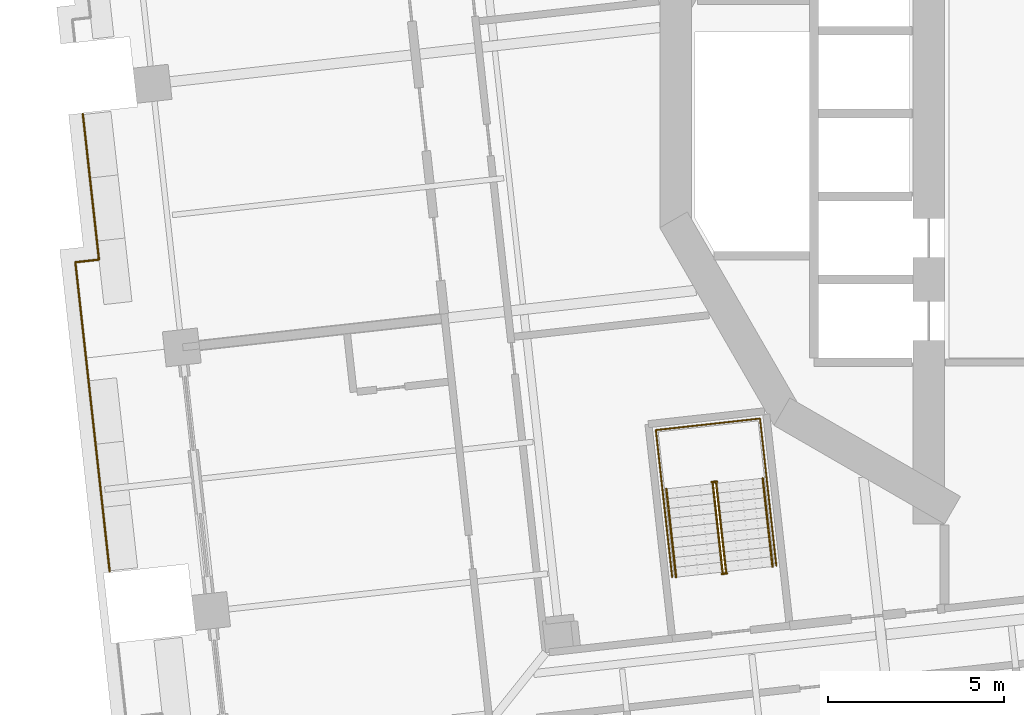
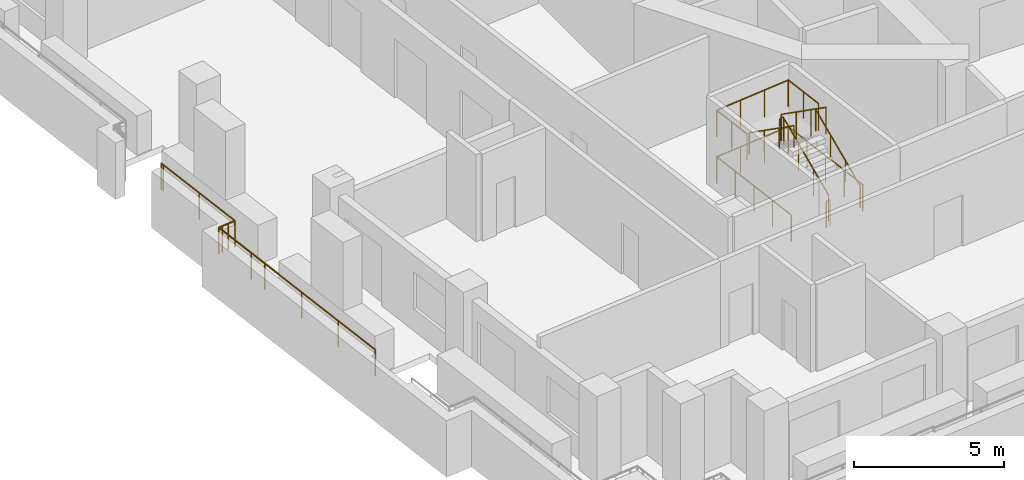
# One storey, part 13 of 19: 8 railings.
"""IFC4 building model written with IfcOpenShell, lengths in metres."""

from ifc_helpers import new_model, si_unit, direction, frame, origin, origin_2d, place, context, subcontext, project, spatial, circle, extrude, material, type_object, element, save


model = new_model("IFC4")

# Units and contexts
model_context = context("Model", 3, precision=1e-05, world=origin(), true_north=direction((0.0, 1.0)))
body_context = subcontext(model_context, "Body", "Model", "MODEL_VIEW")
ifc_project = project(units=[si_unit("LENGTHUNIT", "METRE"), si_unit("AREAUNIT", "SQUARE_METRE"), si_unit("VOLUMEUNIT", "CUBIC_METRE"), si_unit("PLANEANGLEUNIT", "RADIAN"), si_unit("MASSUNIT", "GRAM", prefix="KILO")], contexts=[model_context])

# Site, building, storey
site_placement = place(None, origin())
site = spatial("IfcSite", under=ifc_project, at=site_placement, CompositionType="ELEMENT")
building_placement = place(site_placement, origin())
building = spatial("IfcBuilding", under=site, at=building_placement, Name="Cantera Rosa Tower", CompositionType="ELEMENT")
storey_placement = place(building_placement, frame((0.0, 0.0, 65.300048828125)))
storey = spatial("IfcBuildingStorey", under=building, at=storey_placement, Name="L13", CompositionType="ELEMENT", Elevation=65.300048828125)

# Railings
ifc_material_1 = material(Name="Stainless steel and laminated glass", Category="steel")
railing_type_1 = type_object("IfcRailingType", Name="GUARD 1100", PredefinedType="BALUSTRADE", material=ifc_material_1)
railing_1_placement = place(storey_placement, frame((-27.669677734375, -12.9814453125, 0.0)))
element("IfcRailing", 1, at=railing_1_placement, inside=storey, type_object=railing_type_1, Name="GUARD L13-3", PredefinedType="BALUSTRADE", context=body_context, shape_type="SweptSolid", body=[
    extrude(circle(Radius=0.030029296875, at=origin_2d()), frame((0.0, 0.0, 1.070068359375), z_axis=(-0.11030268805, 0.993898041556, 0.0), x_axis=(-0.993898041556, -0.11030268805, 0.0)), (0.0, 0.0, 1.0), 6.239501953125),
    extrude(circle(Radius=0.030029296875, at=origin_2d()), frame((-0.688232421875, 6.201416015625, 1.070068359375), z_axis=(0.0, 1.0, 0.0), x_axis=(-1.0, 0.0, 0.0)), (0.0, 0.0, 1.0), 0.00048828125),
    extrude(circle(Radius=0.030029296875, at=origin_2d()), frame((-0.688232421875, 6.201904296875, 1.070068359375), z_axis=(-0.110289531416, 0.99389950159, 0.0), x_axis=(-0.99389950159, -0.110289531416, 0.0)), (0.0, 0.0, 1.0), 0.7548828125),
    extrude(circle(Radius=0.030029296875, at=origin_2d()), frame((-0.771484375, 6.9521484375, 1.070068359375), z_axis=(-0.110328904554, 0.993895131701, 0.0), x_axis=(-0.993895131701, -0.110328904554, 0.0)), (0.0, 0.0, 1.0), 1.827880859375),
    extrude(circle(Radius=0.030029296875, at=origin_2d()), frame((-0.97314453125, 8.768798828125, 1.070068359375), z_axis=(0.993823885957, 0.110968841125, 0.0), x_axis=(-0.110968841125, 0.993823885957, 0.0)), (0.0, 0.0, 1.0), 0.149658203125),
    extrude(circle(Radius=0.030029296875, at=origin_2d()), frame((-0.824462890625, 8.785400390625, 1.070068359375), z_axis=(1.0, 0.0, 0.0), x_axis=(0.0, 1.0, 0.0)), (0.0, 0.0, 1.0), 0.00048828125),
    extrude(circle(Radius=0.030029296875, at=origin_2d()), frame((-0.823974609375, 8.785400390625, 1.070068359375), z_axis=(0.993858719064, 0.1106564347, 0.0), x_axis=(-0.1106564347, 0.993858719064, 0.0)), (0.0, 0.0, 1.0), 0.23828125),
    extrude(circle(Radius=0.030029296875, at=origin_2d()), frame((-0.587158203125, 8.811767578125, 1.070068359375), z_axis=(0.993925932301, 0.110051084047, 0.0), x_axis=(-0.110051084047, 0.993925932301, 0.0)), (0.0, 0.0, 1.0), 0.28173828125),
    extrude(circle(Radius=0.030029296875, at=origin_2d()), frame((-0.30712890625, 8.8427734375, 1.070068359375), z_axis=(0.986393923832, 0.164398987305, 0.0), x_axis=(-0.164398987305, 0.986393923832, 0.0)), (0.0, 0.0, 1.0), 0.0029296875),
    extrude(circle(Radius=0.030029296875, at=origin_2d()), frame((-0.30419921875, 8.84326171875, 1.070068359375), z_axis=(-0.071247049988, 0.997458699831, 0.0), x_axis=(-0.997458699831, -0.071247049988, 0.0)), (0.0, 0.0, 1.0), 0.00341796875),
    extrude(circle(Radius=0.030029296875, at=origin_2d()), frame((-0.304443359375, 8.8466796875, 1.070068359375), z_axis=(-0.110278733026, 0.99390069979, 0.0), x_axis=(-0.99390069979, -0.110278733026, 0.0)), (0.0, 0.0, 1.0), 4.03369140625),
    extrude(circle(Radius=0.030029296875, at=origin_2d()), frame((-0.749267578125, 12.855712890625, 1.070068359375), z_axis=(-0.316227766017, 0.948683298051, 0.0), x_axis=(-0.948683298051, -0.316227766017, 0.0)), (0.0, 0.0, 1.0), 0.000732421875),
    extrude(circle(Radius=0.030029296875, at=origin_2d()), frame((-0.74951171875, 12.8564453125, 1.070068359375), z_axis=(-0.1106564347, 0.993858719064, 0.0), x_axis=(-0.993858719064, -0.1106564347, 0.0)), (0.0, 0.0, 1.0), 0.119140625),
    extrude(circle(Radius=0.02490234375, at=origin_2d()), origin(), (0.0, 0.0, 1.0), 1.0400390625),
    extrude(circle(Radius=0.02490234375, at=origin_2d()), frame((-0.2294921875, 2.067138671875, 0.0)), (0.0, 0.0, 1.0), 1.0400390625),
    extrude(circle(Radius=0.02490234375, at=origin_2d()), frame((-0.458740234375, 4.13427734375, 0.0)), (0.0, 0.0, 1.0), 1.0400390625),
    extrude(circle(Radius=0.02490234375, at=origin_2d()), frame((-0.688232421875, 6.201416015625, 0.0)), (0.0, 0.0, 1.0), 1.0400390625),
    extrude(circle(Radius=0.02490234375, at=origin_2d()), frame((-0.688232421875, 6.201904296875, 0.0)), (0.0, 0.0, 1.0), 1.0400390625),
    extrude(circle(Radius=0.02490234375, at=origin_2d()), frame((-0.771484375, 6.9521484375, 0.0)), (0.0, 0.0, 1.0), 1.0400390625),
    extrude(circle(Radius=0.02490234375, at=origin_2d()), frame((-0.97314453125, 8.768798828125, 0.0)), (0.0, 0.0, 1.0), 1.0400390625),
    extrude(circle(Radius=0.02490234375, at=origin_2d()), frame((-0.824462890625, 8.785400390625, 0.0)), (0.0, 0.0, 1.0), 1.0400390625),
    extrude(circle(Radius=0.02490234375, at=origin_2d()), frame((-0.823974609375, 8.785400390625, 0.0)), (0.0, 0.0, 1.0), 1.0400390625),
    extrude(circle(Radius=0.02490234375, at=origin_2d()), frame((-0.587158203125, 8.811767578125, 0.0)), (0.0, 0.0, 1.0), 1.0400390625),
    extrude(circle(Radius=0.02490234375, at=origin_2d()), frame((-0.30712890625, 8.8427734375, 0.0)), (0.0, 0.0, 1.0), 1.0400390625),
    extrude(circle(Radius=0.02490234375, at=origin_2d()), frame((-0.30419921875, 8.84326171875, 0.0)), (0.0, 0.0, 1.0), 1.0400390625),
    extrude(circle(Radius=0.02490234375, at=origin_2d()), frame((-0.304443359375, 8.8466796875, 0.0)), (0.0, 0.0, 1.0), 1.0400390625),
    extrude(circle(Radius=0.02490234375, at=origin_2d()), frame((-0.52685546875, 10.85107421875, 0.0)), (0.0, 0.0, 1.0), 1.0400390625),
    extrude(circle(Radius=0.02490234375, at=origin_2d()), frame((-0.749267578125, 12.855712890625, 0.0)), (0.0, 0.0, 1.0), 1.0400390625),
    extrude(circle(Radius=0.02490234375, at=origin_2d()), frame((-0.74951171875, 12.8564453125, 0.0)), (0.0, 0.0, 1.0), 1.0400390625),
    extrude(circle(Radius=0.02490234375, at=origin_2d()), frame((-0.7626953125, 12.974853515625, 0.0)), (0.0, 0.0, 1.0), 1.0400390625),
])
ifc_material_2 = material(Name="Steel S355J2 (EN 10025-2)", Category="steel")
railing_type_2 = type_object("IfcRailingType", Name="STAIR GUARD 1100", PredefinedType="GUARDRAIL", material=ifc_material_2)
railing_2_placement = place(storey_placement, frame((-10.19677734375, -12.986083984375, 0.18994140625)))
element("IfcRailing", 2, at=railing_2_placement, inside=storey, type_object=railing_type_2, Name="L13 ST-13 stair guard 1", PredefinedType="GUARDRAIL", context=body_context, shape_type="SweptSolid", body=[
    extrude(circle(Radius=0.02392578125, at=origin_2d()), frame((0.0, 0.0, 1.076171875), z_axis=(-0.091310000343, 0.822431337597, 0.561488360321), x_axis=(-0.993893182753, -0.110346460196, 0.0)), (0.0, 0.0, 1.0), 3.04541015625),
    extrude(circle(Radius=0.02392578125, at=origin_2d()), frame((-0.278076171875, 2.504638671875, 2.7861328125), z_axis=(0.360141847183, 0.932897555956, 0.0), x_axis=(-0.932897555956, 0.360141847183, 0.0)), (0.0, 0.0, 1.0), 0.05615234375),
    extrude(circle(Radius=0.02392578125, at=origin_2d()), frame((-0.2578125, 2.55712890625, 2.7861328125), z_axis=(-0.994022053584, -0.109179471459, 0.0), x_axis=(0.109179471459, -0.994022053584, 0.0)), (0.0, 0.0, 1.0), 0.14990234375),
    extrude(circle(Radius=0.02099609375, at=origin_2d()), origin(), (0.0, 0.0, 1.0), 1.052001953125),
    extrude(circle(Radius=0.02099609375, at=origin_2d()), frame((-0.0927734375, 0.8349609375, 0.570068359375)), (0.0, 0.0, 1.0), 1.052001953125),
    extrude(circle(Radius=0.02099609375, at=origin_2d()), frame((-0.185302734375, 1.669677734375, 1.139892578125)), (0.0, 0.0, 1.0), 1.052001953125),
    extrude(circle(Radius=0.02099609375, at=origin_2d()), frame((-0.278076171875, 2.504638671875, 1.7099609375)), (0.0, 0.0, 1.0), 1.052001953125),
    extrude(circle(Radius=0.02099609375, at=origin_2d()), frame((-0.2578125, 2.55712890625, 1.7099609375)), (0.0, 0.0, 1.0), 1.052001953125),
    extrude(circle(Radius=0.02099609375, at=origin_2d()), frame((-0.40673828125, 2.540771484375, 1.7099609375)), (0.0, 0.0, 1.0), 1.052001953125),
])
railing_3_placement = place(storey_placement, frame((-10.572265625, -10.4921875, 2.08984375)))
element("IfcRailing", 3, at=railing_3_placement, inside=storey, type_object=railing_type_2, Name="L13 ST-13 stair guard 2", PredefinedType="GUARDRAIL", context=body_context, shape_type="SweptSolid", body=[
    extrude(circle(Radius=0.02392578125, at=origin_2d()), frame((0.0, 0.0, 1.076171875), z_axis=(0.091305890215, -0.822394317572, 0.561543249302), x_axis=(0.993893182753, 0.110346460196, 0.0)), (0.0, 0.0, 1.0), 3.045654296875),
    extrude(circle(Radius=0.02099609375, at=origin_2d()), origin(), (0.0, 0.0, 1.0), 1.052001953125),
    extrude(circle(Radius=0.02099609375, at=origin_2d()), frame((0.0927734375, -0.8349609375, 0.570068359375)), (0.0, 0.0, 1.0), 1.052001953125),
    extrude(circle(Radius=0.02099609375, at=origin_2d()), frame((0.185302734375, -1.669677734375, 1.14013671875)), (0.0, 0.0, 1.0), 1.052001953125),
    extrude(circle(Radius=0.02099609375, at=origin_2d()), frame((0.278076171875, -2.504638671875, 1.710205078125)), (0.0, 0.0, 1.0), 1.052001953125),
])
railing_4_placement = place(storey_placement, frame((-10.16552734375, -13.032958984375, 0.0)))
element("IfcRailing", 4, at=railing_4_placement, inside=storey, type_object=railing_type_2, Name="L13 ST-13 stair guard 3", PredefinedType="GUARDRAIL", context=body_context, shape_type="SweptSolid", body=[
    extrude(circle(Radius=0.02392578125, at=origin_2d()), frame((0.0, 0.0, 1.076171875), z_axis=(-0.994041430915, -0.1090029065, 0.0), x_axis=(0.1090029065, -0.994041430915, 0.0)), (0.0, 0.0, 1.0), 0.150146484375),
    extrude(circle(Radius=0.02099609375, at=origin_2d()), origin(), (0.0, 0.0, 1.0), 1.052001953125),
    extrude(circle(Radius=0.02099609375, at=origin_2d()), frame((-0.149169921875, -0.016357421875, 0.0)), (0.0, 0.0, 1.0), 1.052001953125),
])
railing_5_placement = place(storey_placement, frame((-8.77099609375, -12.815673828125, 0.0)))
element("IfcRailing", 5, at=railing_5_placement, inside=storey, type_object=railing_type_2, Name="L13 ST-13 stair guard 4", PredefinedType="GUARDRAIL", context=body_context, shape_type="SweptSolid", body=[
    extrude(circle(Radius=0.02392578125, at=origin_2d()), frame((0.0, 0.0, 1.076171875), z_axis=(-0.110323013767, 0.9938957856, 0.0), x_axis=(-0.9938957856, -0.110323013767, 0.0)), (0.0, 0.0, 1.0), 4.197998046875),
    extrude(circle(Radius=0.02392578125, at=origin_2d()), frame((-0.463134765625, 4.17236328125, 1.076171875), z_axis=(-0.993896759678, -0.110314237986, 0.0), x_axis=(0.110314237986, -0.993896759678, 0.0)), (0.0, 0.0, 1.0), 2.969970703125),
    extrude(circle(Radius=0.02392578125, at=origin_2d()), frame((-3.4150390625, 3.8447265625, 1.076171875), z_axis=(0.110323013767, -0.9938957856, 0.0), x_axis=(0.9938957856, 0.110323013767, 0.0)), (0.0, 0.0, 1.0), 4.197998046875),
    extrude(circle(Radius=0.02099609375, at=origin_2d()), origin(), (0.0, 0.0, 1.0), 1.052001953125),
    extrude(circle(Radius=0.02099609375, at=origin_2d()), frame((-0.11572265625, 1.04296875, 0.0)), (0.0, 0.0, 1.0), 1.052001953125),
    extrude(circle(Radius=0.02099609375, at=origin_2d()), frame((-0.2314453125, 2.086181640625, 0.0)), (0.0, 0.0, 1.0), 1.052001953125),
    extrude(circle(Radius=0.02099609375, at=origin_2d()), frame((-0.347412109375, 3.12939453125, 0.0)), (0.0, 0.0, 1.0), 1.052001953125),
    extrude(circle(Radius=0.02099609375, at=origin_2d()), frame((-0.463134765625, 4.17236328125, 0.0)), (0.0, 0.0, 1.0), 1.052001953125),
    extrude(circle(Radius=0.02099609375, at=origin_2d()), frame((-1.447021484375, 4.063232421875, 0.0)), (0.0, 0.0, 1.0), 1.052001953125),
    extrude(circle(Radius=0.02099609375, at=origin_2d()), frame((-2.43115234375, 3.953857421875, 0.0)), (0.0, 0.0, 1.0), 1.052001953125),
    extrude(circle(Radius=0.02099609375, at=origin_2d()), frame((-3.4150390625, 3.8447265625, 0.0)), (0.0, 0.0, 1.0), 1.052001953125),
    extrude(circle(Radius=0.02099609375, at=origin_2d()), frame((-3.29931640625, 2.8017578125, 0.0)), (0.0, 0.0, 1.0), 1.052001953125),
    extrude(circle(Radius=0.02099609375, at=origin_2d()), frame((-3.18359375, 1.758544921875, 0.0)), (0.0, 0.0, 1.0), 1.052001953125),
    extrude(circle(Radius=0.02099609375, at=origin_2d()), frame((-3.067626953125, 0.71533203125, 0.0)), (0.0, 0.0, 1.0), 1.052001953125),
    extrude(circle(Radius=0.02099609375, at=origin_2d()), frame((-2.951904296875, -0.32763671875, 0.0)), (0.0, 0.0, 1.0), 1.052001953125),
])
railing_6_placement = place(storey_placement, frame((-9.04638671875, -10.3349609375, 1.89990234375)))
element("IfcRailing", 6, at=railing_6_placement, inside=storey, type_object=railing_type_2, Name="L13 ST-13 stair guard 5", PredefinedType="GUARDRAIL", context=body_context, shape_type="SweptSolid", body=[
    extrude(circle(Radius=0.02392578125, at=origin_2d()), frame((0.0, 0.0, 1.076171875), z_axis=(-0.110305577623, 0.993897720867, 0.0), x_axis=(-0.993897720867, -0.110305577623, 0.0)), (0.0, 0.0, 1.0), 1.7021484375),
    extrude(circle(Radius=0.02392578125, at=origin_2d()), frame((-0.187744140625, 1.691650390625, 1.076171875), z_axis=(-0.993896759678, -0.110314237986, 0.0), x_axis=(0.110314237986, -0.993896759678, 0.0)), (0.0, 0.0, 1.0), 2.969970703125),
    extrude(circle(Radius=0.02392578125, at=origin_2d()), frame((-3.1396484375, 1.364013671875, 1.076171875), z_axis=(0.110447269257, -0.993881985305, 0.0), x_axis=(0.993881985305, 0.110447269257, 0.0)), (0.0, 0.0, 1.0), 1.7021484375),
    extrude(circle(Radius=0.02099609375, at=origin_2d()), origin(), (0.0, 0.0, 1.0), 1.052001953125),
    extrude(circle(Radius=0.02099609375, at=origin_2d()), frame((-0.09375, 0.845703125, 0.0)), (0.0, 0.0, 1.0), 1.052001953125),
    extrude(circle(Radius=0.02099609375, at=origin_2d()), frame((-0.187744140625, 1.691650390625, 0.0)), (0.0, 0.0, 1.0), 1.052001953125),
    extrude(circle(Radius=0.02099609375, at=origin_2d()), frame((-1.171630859375, 1.58251953125, 0.0)), (0.0, 0.0, 1.0), 1.052001953125),
    extrude(circle(Radius=0.02099609375, at=origin_2d()), frame((-2.15576171875, 1.47314453125, 0.0)), (0.0, 0.0, 1.0), 1.052001953125),
    extrude(circle(Radius=0.02099609375, at=origin_2d()), frame((-3.1396484375, 1.364013671875, 0.0)), (0.0, 0.0, 1.0), 1.052001953125),
    extrude(circle(Radius=0.02099609375, at=origin_2d()), frame((-3.045654296875, 0.51806640625, 0.0)), (0.0, 0.0, 1.0), 1.052001953125),
    extrude(circle(Radius=0.02099609375, at=origin_2d()), frame((-2.95166015625, -0.32763671875, 0.0)), (0.0, 0.0, 1.0), 1.052001953125),
])
ifc_material_3 = material(Name="Steel S355J2 (EN 10025-2)", Category="steel")
railing_type_3 = type_object("IfcRailingType", Name="STAIR HANDRAIL 900", PredefinedType="HANDRAIL", material=ifc_material_3)
railing_7_placement = place(storey_placement, frame((-8.87890625, -12.83984375, 0.18994140625)))
element("IfcRailing", 7, at=railing_7_placement, inside=storey, type_object=railing_type_3, Name="L13 ST-13 stair handrail 1", PredefinedType="HANDRAIL", context=body_context, shape_type="SweptSolid", body=[
    extrude(circle(Radius=0.02392578125, at=origin_2d()), frame((0.0, 0.0, 0.8759765625), z_axis=(-0.091310000343, 0.822431337597, 0.561488360321), x_axis=(-0.993893182753, -0.110346460196, 0.0)), (0.0, 0.0, 1.0), 3.04541015625),
    extrude(circle(Radius=0.02099609375, at=origin_2d()), origin(), (0.0, 0.0, 1.0), 0.851806640625),
    extrude(circle(Radius=0.02099609375, at=origin_2d()), frame((-0.0927734375, 0.8349609375, 0.570068359375)), (0.0, 0.0, 1.0), 0.851806640625),
    extrude(circle(Radius=0.02099609375, at=origin_2d()), frame((-0.185302734375, 1.669677734375, 1.139892578125)), (0.0, 0.0, 1.0), 0.851806640625),
    extrude(circle(Radius=0.02099609375, at=origin_2d()), frame((-0.278076171875, 2.504638671875, 1.7099609375)), (0.0, 0.0, 1.0), 0.851806640625),
])
railing_8_placement = place(storey_placement, frame((-11.89013671875, -10.638427734375, 2.08984375)))
element("IfcRailing", 8, at=railing_8_placement, inside=storey, type_object=railing_type_3, Name="L13 ST-13 stair handrail 2", PredefinedType="HANDRAIL", context=body_context, shape_type="SweptSolid", body=[
    extrude(circle(Radius=0.02392578125, at=origin_2d()), frame((0.0, 0.0, 0.8759765625), z_axis=(0.091305890215, -0.822394317572, 0.561543249302), x_axis=(0.993893182753, 0.110346460196, 0.0)), (0.0, 0.0, 1.0), 3.045654296875),
    extrude(circle(Radius=0.02099609375, at=origin_2d()), origin(), (0.0, 0.0, 1.0), 0.851806640625),
    extrude(circle(Radius=0.02099609375, at=origin_2d()), frame((0.0927734375, -0.8349609375, 0.570068359375)), (0.0, 0.0, 1.0), 0.851806640625),
    extrude(circle(Radius=0.02099609375, at=origin_2d()), frame((0.185302734375, -1.669677734375, 1.14013671875)), (0.0, 0.0, 1.0), 0.851806640625),
    extrude(circle(Radius=0.02099609375, at=origin_2d()), frame((0.278076171875, -2.504638671875, 1.710205078125)), (0.0, 0.0, 1.0), 0.851806640625),
])

save(model, "model.ifc")
